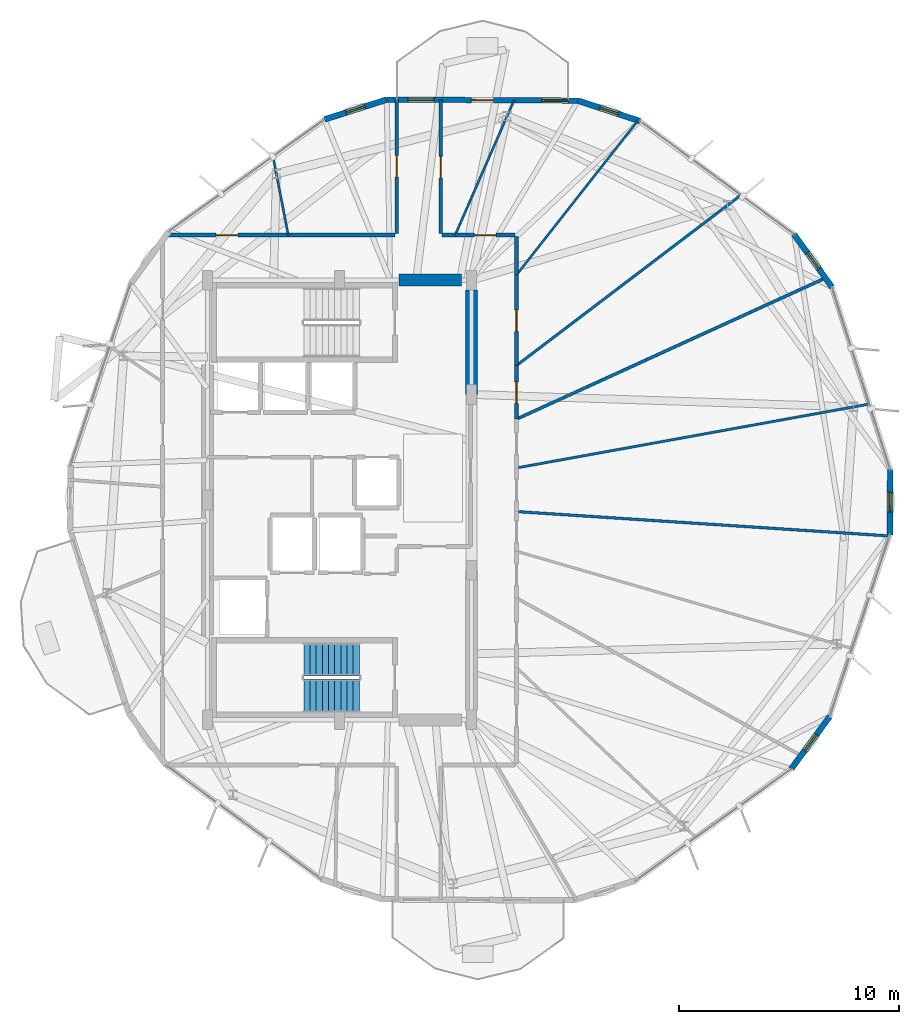
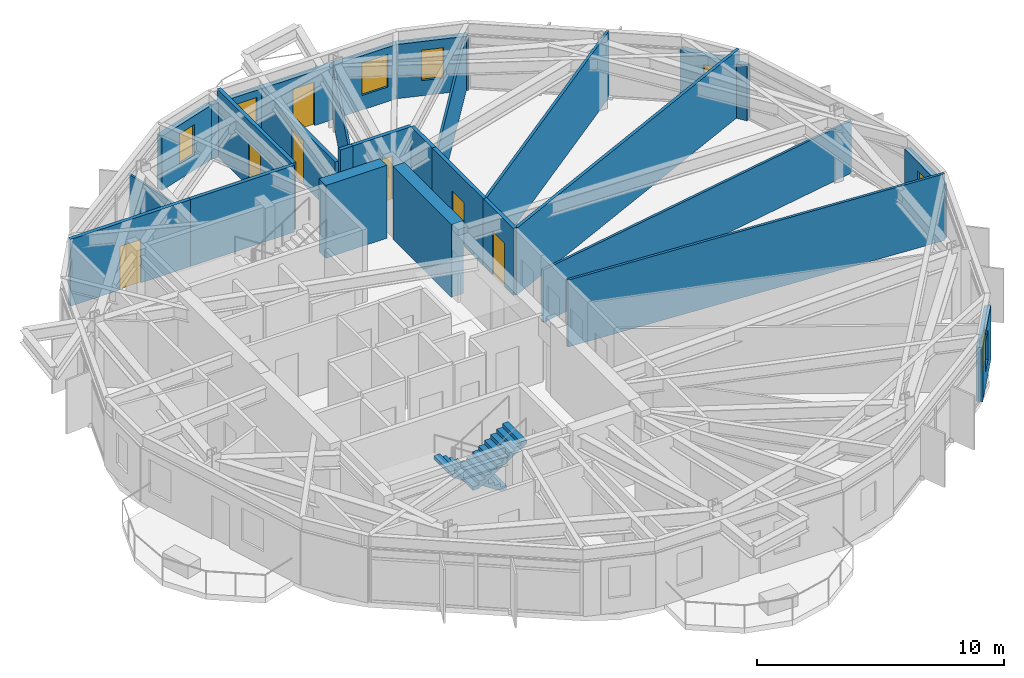
# One storey, part 19 of 24: 24 walls, 7 doors, 7 windows, 2 stair flights, 14 openings, 1 element without a shape of its own.
"""IFC4 building model written with IfcOpenShell, lengths in metres."""

from ifc_helpers import new_model, si_unit, direction, frame, frame_2d, origin, place, context, subcontext, project, spatial, polyline, rectangle, outline, extrude, material, layer, layer_set, type_object, element, fill, aggregate, save


model = new_model("IFC4")

# Units and contexts
model_context = context("Model", 3, precision=1e-05, world=origin(), true_north=direction((0.0, 1.0)))
body_context = subcontext(model_context, "Body", "Model", "MODEL_VIEW")
ifc_project = project(units=[si_unit("LENGTHUNIT", "METRE"), si_unit("AREAUNIT", "SQUARE_METRE"), si_unit("VOLUMEUNIT", "CUBIC_METRE"), si_unit("PLANEANGLEUNIT", "RADIAN"), si_unit("MASSUNIT", "GRAM", prefix="KILO")], contexts=[model_context])

# Site, building, storey
site_placement = place(None, origin())
site = spatial("IfcSite", under=ifc_project, at=site_placement, CompositionType="ELEMENT")
building_placement = place(site_placement, origin())
building = spatial("IfcBuilding", under=site, at=building_placement, Name="Soratama Intermodal Tower", CompositionType="ELEMENT")
storey_placement = place(building_placement, frame((0.0, 0.0, 164.199951171875)))
storey = spatial("IfcBuildingStorey", under=building, at=storey_placement, Name="L40", CompositionType="ELEMENT", Elevation=164.199951171875)

# Wall, openings, door, windows
ifc_material_1 = material(Name="Concrete f'c 42 MPa", Category="concrete")
ifc_layer_1 = layer(ifc_material_1, 0.25)
ifc_layer_set_1 = layer_set([ifc_layer_1], Name="Concrete f'c 42 MPa")
wall_type_1 = type_object("IfcWallType", Name="EW-BAL-250", PredefinedType="SOLIDWALL", material=ifc_layer_set_1)
wall_1_placement = place(storey_placement, frame((49.446533203125, 43.169189453125, 0.0), z_axis=(0.0, 0.0, 1.0), x_axis=(-0.999986386637, 0.005217905737, 0.0)))
wall_1 = element("IfcWall", 1, at=wall_1_placement, inside=storey, type_object=wall_type_1, Name="L40 Terrace Wall F02", PredefinedType="SOLIDWALL", context=body_context, shape_type="SweptSolid", body=[
    extrude(rectangle(XDim=8.70263671875, YDim=0.25, at=frame_2d((4.351318359375, 0.0))), origin(), (0.0, 0.0, 1.0), 2.678955078125),
])
opening_1_placement = place(wall_1_placement, frame((3.851318359375, 0.0, 0.0)))
opening_1 = element("IfcOpeningElement", 2, at=opening_1_placement, cuts=wall_1, Name="Opening ED-2", PredefinedType="OPENING", context=body_context, shape_type="SweptSolid", body=[
    extrude(rectangle(XDim=1.0, YDim=2.14990234375, at=frame_2d((0.5, 1.074951171875))), frame((0.0, 0.135009765625, 0.0), z_axis=(0.0, -1.0, 0.0), x_axis=(1.0, 0.0, 0.0)), (0.0, 0.0, 1.0), 0.27001953125),
])
opening_2_placement = place(wall_1_placement, frame((0.43994140625, 0.0, 0.719970703125)))
opening_2 = element("IfcOpeningElement", 3, at=opening_2_placement, cuts=wall_1, Name="Opening WN-2", PredefinedType="OPENING", context=body_context, shape_type="SweptSolid", body=[
    extrude(rectangle(XDim=1.199951171875, YDim=1.60009765625, at=frame_2d((0.60009765625, 0.800048828125))), frame((0.0, 0.135009765625, 0.0), z_axis=(0.0, -1.0, 0.0), x_axis=(1.0, 0.0, 0.0)), (0.0, 0.0, 1.0), 0.27001953125),
])
opening_3_placement = place(wall_1_placement, frame((6.538818359375, 0.0, 0.719970703125)))
opening_3 = element("IfcOpeningElement", 4, at=opening_3_placement, cuts=wall_1, Name="Opening WN-2", PredefinedType="OPENING", context=body_context, shape_type="SweptSolid", body=[
    extrude(rectangle(XDim=1.199951171875, YDim=1.60009765625, at=frame_2d((0.60009765625, 0.800048828125))), frame((0.0, 0.135009765625, 0.0), z_axis=(0.0, -1.0, 0.0), x_axis=(1.0, 0.0, 0.0)), (0.0, 0.0, 1.0), 0.27001953125),
])
ifc_material_2 = material(Name="Double-glazed aluminium door", Category="aluminium")
door_type_1 = type_object("IfcDoorType", Name="DR-BAL-1000", OperationType="NOTDEFINED", PredefinedType="DOOR", material=ifc_material_2)
door_1_placement = place(opening_1_placement, origin())
door_1 = element("IfcDoor", 5, at=door_1_placement, inside=storey, type_object=door_type_1, Name="L40 Balcony Door F02", OperationType="SINGLE_SWING_RIGHT", OverallHeight=2.14990234375, OverallWidth=1.0, PredefinedType="DOOR", context=body_context, shape_type="SweptSolid", body=[
    extrude(rectangle(XDim=1.0, YDim=2.14990234375, at=frame_2d((0.5, 1.074951171875))), frame((0.0, 0.02490234375, 0.0), z_axis=(0.0, -1.0, 0.0), x_axis=(1.0, 0.0, 0.0)), (0.0, 0.0, 1.0), 0.050048828125),
])
fill(opening_1, door_1)
ifc_material_3 = material(Name="Double-glazed aluminium window", Category="aluminium")
window_type_1 = type_object("IfcWindowType", Name="WN-FAC-1200", PartitioningType="SINGLE_PANEL", PredefinedType="WINDOW", material=ifc_material_3)
window_1_placement = place(opening_2_placement, origin())
window_1 = element("IfcWindow", 6, at=window_1_placement, inside=storey, type_object=window_type_1, Name="L40 Window A F02", OverallHeight=1.60009765625, OverallWidth=1.199951171875, PartitioningType="SINGLE_PANEL", PredefinedType="WINDOW", context=body_context, shape_type="SweptSolid", body=[
    extrude(rectangle(XDim=1.199951171875, YDim=1.60009765625, at=frame_2d((0.60009765625, 0.800048828125))), frame((0.0, 0.030029296875, 0.0), z_axis=(0.0, -1.0, 0.0), x_axis=(1.0, 0.0, 0.0)), (0.0, 0.0, 1.0), 0.06005859375),
])
fill(opening_2, window_1)
window_2_placement = place(opening_3_placement, origin())
window_2 = element("IfcWindow", 7, at=window_2_placement, inside=storey, type_object=window_type_1, Name="L40 Window B F02", OverallHeight=1.60009765625, OverallWidth=1.199951171875, PartitioningType="SINGLE_PANEL", PredefinedType="WINDOW", context=body_context, shape_type="SweptSolid", body=[
    extrude(rectangle(XDim=1.199951171875, YDim=1.60009765625, at=frame_2d((0.60009765625, 0.800048828125))), frame((0.0, 0.030029296875, 0.0), z_axis=(0.0, -1.0, 0.0), x_axis=(1.0, 0.0, 0.0)), (0.0, 0.0, 1.0), 0.06005859375),
])
fill(opening_3, window_2)

# Wall, opening, window
ifc_material_4 = material(Name="Concrete f'c 42 MPa", Category="concrete")
ifc_layer_2 = layer(ifc_material_4, 0.27001953125)
ifc_layer_set_2 = layer_set([ifc_layer_2], Name="Concrete f'c 42 MPa")
wall_type_2 = type_object("IfcWallType", Name="EW-CRN-270", PredefinedType="SOLIDWALL", material=ifc_layer_set_2)
wall_2_placement = place(storey_placement, frame((52.26318359375, 42.237548828125, 0.0), z_axis=(0.0, 0.0, 1.0), x_axis=(-0.949413160374, 0.314029697494, 0.0)))
wall_2 = element("IfcWall", 8, at=wall_2_placement, inside=storey, type_object=wall_type_2, Name="L40 Corner Closure Wall 01", PredefinedType="SOLIDWALL", context=body_context, shape_type="SweptSolid", body=[
    extrude(rectangle(XDim=2.966796875, YDim=0.27001953125, at=frame_2d((1.4833984375, 0.0))), origin(), (0.0, 0.0, 1.0), 2.678955078125),
])
opening_4_placement = place(wall_2_placement, frame((1.033203125, 0.0, 0.75)))
opening_4 = element("IfcOpeningElement", 9, at=opening_4_placement, cuts=wall_2, Name="Opening WN-6", PredefinedType="OPENING", context=body_context, shape_type="SweptSolid", body=[
    extrude(rectangle(XDim=0.89990234375, YDim=1.5, at=frame_2d((0.449951171875, 0.75))), frame((0.0, 0.14501953125, 0.0), z_axis=(0.0, -1.0, 0.0), x_axis=(1.0, 0.0, 0.0)), (0.0, 0.0, 1.0), 0.2900390625),
])
ifc_material_5 = material(Name="Double-glazed aluminium window", Category="aluminium")
window_type_2 = type_object("IfcWindowType", Name="WN-FAC-900", PartitioningType="SINGLE_PANEL", PredefinedType="WINDOW", material=ifc_material_5)
window_3_placement = place(opening_4_placement, origin())
window_3 = element("IfcWindow", 10, at=window_3_placement, inside=storey, type_object=window_type_2, Name="L40 Corner Window 01", OverallHeight=1.5, OverallWidth=0.89990234375, PartitioningType="SINGLE_PANEL", PredefinedType="WINDOW", context=body_context, shape_type="SweptSolid", body=[
    extrude(rectangle(XDim=0.89990234375, YDim=1.5, at=frame_2d((0.449951171875, 0.75))), frame((0.0, 0.030029296875, 0.0), z_axis=(0.0, -1.0, 0.0), x_axis=(1.0, 0.0, 0.0)), (0.0, 0.0, 1.0), 0.06005859375),
])
fill(opening_4, window_3)

wall_3_placement = place(storey_placement, frame((40.743896484375, 43.214599609375, 0.0), z_axis=(0.0, 0.0, 1.0), x_axis=(-0.95267036835, -0.304005212568, 0.0)))
wall_3 = element("IfcWall", 11, at=wall_3_placement, inside=storey, type_object=wall_type_2, Name="L40 Corner Closure Wall 02", PredefinedType="SOLIDWALL", context=body_context, shape_type="SweptSolid", body=[
    extrude(rectangle(XDim=2.966552734375, YDim=0.27001953125, at=frame_2d((1.4833984375, 0.0))), origin(), (0.0, 0.0, 1.0), 2.678955078125),
])
opening_5_placement = place(wall_3_placement, frame((1.033203125, 0.0, 0.75)))
opening_5 = element("IfcOpeningElement", 12, at=opening_5_placement, cuts=wall_3, Name="Opening WN-6", PredefinedType="OPENING", context=body_context, shape_type="SweptSolid", body=[
    extrude(rectangle(XDim=0.89990234375, YDim=1.5, at=frame_2d((0.449951171875, 0.75))), frame((0.0, 0.14501953125, 0.0), z_axis=(0.0, -1.0, 0.0), x_axis=(1.0, 0.0, 0.0)), (0.0, 0.0, 1.0), 0.2900390625),
])
window_4_placement = place(opening_5_placement, origin())
window_4 = element("IfcWindow", 13, at=window_4_placement, inside=storey, type_object=window_type_2, Name="L40 Corner Window 02", OverallHeight=1.5, OverallWidth=0.89990234375, PartitioningType="SINGLE_PANEL", PredefinedType="WINDOW", context=body_context, shape_type="SweptSolid", body=[
    extrude(rectangle(XDim=0.89990234375, YDim=1.5, at=frame_2d((0.449951171875, 0.75))), frame((0.0, 0.030029296875, 0.0), z_axis=(0.0, -1.0, 0.0), x_axis=(1.0, 0.0, 0.0)), (0.0, 0.0, 1.0), 0.06005859375),
])
fill(opening_5, window_4)

wall_4_placement = place(storey_placement, frame((59.1494140625, 12.765625, 0.0), z_axis=(0.0, 0.0, 1.0), x_axis=(0.592030622016, 0.805915468641, 0.0)))
wall_4 = element("IfcWall", 14, at=wall_4_placement, inside=storey, type_object=wall_type_2, Name="L40 Corner Closure Wall 08", PredefinedType="SOLIDWALL", context=body_context, shape_type="SweptSolid", body=[
    extrude(rectangle(XDim=2.966552734375, YDim=0.27001953125, at=frame_2d((1.4833984375, 0.0))), origin(), (0.0, 0.0, 1.0), 2.678955078125),
])
opening_6_placement = place(wall_4_placement, frame((1.033203125, 0.0, 0.75)))
opening_6 = element("IfcOpeningElement", 15, at=opening_6_placement, cuts=wall_4, Name="Opening WN-6", PredefinedType="OPENING", context=body_context, shape_type="SweptSolid", body=[
    extrude(rectangle(XDim=0.89990234375, YDim=1.5, at=frame_2d((0.449951171875, 0.75))), frame((0.0, 0.14501953125, 0.0), z_axis=(0.0, -1.0, 0.0), x_axis=(1.0, 0.0, 0.0)), (0.0, 0.0, 1.0), 0.2900390625),
])
window_5_placement = place(opening_6_placement, origin())
window_5 = element("IfcWindow", 16, at=window_5_placement, inside=storey, type_object=window_type_2, Name="L40 Corner Window 08", OverallHeight=1.5, OverallWidth=0.89990234375, PartitioningType="SINGLE_PANEL", PredefinedType="WINDOW", context=body_context, shape_type="SweptSolid", body=[
    extrude(rectangle(XDim=0.89990234375, YDim=1.5, at=frame_2d((0.449951171875, 0.75))), frame((0.0, 0.030029296875, 0.0), z_axis=(0.0, -1.0, 0.0), x_axis=(1.0, 0.0, 0.0)), (0.0, 0.0, 1.0), 0.06005859375),
])
fill(opening_6, window_5)

wall_5_placement = place(storey_placement, frame((63.63818359375, 23.419189453125, 0.0), z_axis=(0.0, 0.0, 1.0), x_axis=(0.005267416636, 0.999986127065, 0.0)))
wall_5 = element("IfcWall", 17, at=wall_5_placement, inside=storey, type_object=wall_type_2, Name="L40 Corner Closure Wall 09", PredefinedType="SOLIDWALL", context=body_context, shape_type="SweptSolid", body=[
    extrude(rectangle(XDim=2.96630859375, YDim=0.27001953125, at=frame_2d((1.483154296875, 0.0))), origin(), (0.0, 0.0, 1.0), 2.678955078125),
])
opening_7_placement = place(wall_5_placement, frame((1.033203125, 0.0, 0.75)))
opening_7 = element("IfcOpeningElement", 18, at=opening_7_placement, cuts=wall_5, Name="Opening WN-6", PredefinedType="OPENING", context=body_context, shape_type="SweptSolid", body=[
    extrude(rectangle(XDim=0.89990234375, YDim=1.5, at=frame_2d((0.449951171875, 0.75))), frame((0.0, 0.14501953125, 0.0), z_axis=(0.0, -1.0, 0.0), x_axis=(1.0, 0.0, 0.0)), (0.0, 0.0, 1.0), 0.2900390625),
])
window_6_placement = place(opening_7_placement, origin())
window_6 = element("IfcWindow", 19, at=window_6_placement, inside=storey, type_object=window_type_2, Name="L40 Corner Window 09", OverallHeight=1.5, OverallWidth=0.89990234375, PartitioningType="SINGLE_PANEL", PredefinedType="WINDOW", context=body_context, shape_type="SweptSolid", body=[
    extrude(rectangle(XDim=0.89990234375, YDim=1.5, at=frame_2d((0.449951171875, 0.75))), frame((0.0, 0.030029296875, 0.0), z_axis=(0.0, -1.0, 0.0), x_axis=(1.0, 0.0, 0.0)), (0.0, 0.0, 1.0), 0.06005859375),
])
fill(opening_7, window_6)

wall_6_placement = place(storey_placement, frame((61.008056640625, 34.676513671875, 0.0), z_axis=(0.0, 0.0, 1.0), x_axis=(-0.583586868665, 0.812050716841, 0.0)))
wall_6 = element("IfcWall", 20, at=wall_6_placement, inside=storey, type_object=wall_type_2, Name="L40 Corner Closure Wall 10", PredefinedType="SOLIDWALL", context=body_context, shape_type="SweptSolid", body=[
    extrude(rectangle(XDim=2.966552734375, YDim=0.27001953125, at=frame_2d((1.4833984375, 0.0))), origin(), (0.0, 0.0, 1.0), 2.678955078125),
])
opening_8_placement = place(wall_6_placement, frame((1.033203125, 0.0, 0.75)))
opening_8 = element("IfcOpeningElement", 21, at=opening_8_placement, cuts=wall_6, Name="Opening WN-6", PredefinedType="OPENING", context=body_context, shape_type="SweptSolid", body=[
    extrude(rectangle(XDim=0.89990234375, YDim=1.5, at=frame_2d((0.449951171875, 0.75))), frame((0.0, 0.14501953125, 0.0), z_axis=(0.0, -1.0, 0.0), x_axis=(1.0, 0.0, 0.0)), (0.0, 0.0, 1.0), 0.2900390625),
])
window_7_placement = place(opening_8_placement, origin())
window_7 = element("IfcWindow", 22, at=window_7_placement, inside=storey, type_object=window_type_2, Name="L40 Corner Window 10", OverallHeight=1.5, OverallWidth=0.89990234375, PartitioningType="SINGLE_PANEL", PredefinedType="WINDOW", context=body_context, shape_type="SweptSolid", body=[
    extrude(rectangle(XDim=0.89990234375, YDim=1.5, at=frame_2d((0.449951171875, 0.75))), frame((0.0, 0.030029296875, 0.0), z_axis=(0.0, -1.0, 0.0), x_axis=(1.0, 0.0, 0.0)), (0.0, 0.0, 1.0), 0.06005859375),
])
fill(opening_8, window_7)

# Wall, opening, door
ifc_material_6 = material(Name="Fire-rated gypsum stud partition", Category="concrete")
ifc_layer_3 = layer(ifc_material_6, 0.169921875)
ifc_layer_set_3 = layer_set([ifc_layer_3], Name="Fire-rated gypsum stud partition")
wall_type_3 = type_object("IfcWallType", Name="IW-PART-R170", PredefinedType="PARTITIONING", material=ifc_layer_set_3)
wall_7_placement = place(storey_placement, frame((41.199951171875, 37.1201171875, 0.0), z_axis=(0.0, 0.0, 1.0), x_axis=(0.0, 1.0, 0.0)))
wall_7 = element("IfcWall", 23, at=wall_7_placement, inside=storey, type_object=wall_type_3, Name="L40 Partition W-L40-TP015", PredefinedType="PARTITIONING", context=body_context, shape_type="SweptSolid", body=[
    extrude(rectangle(XDim=6.091796875, YDim=0.169921875, at=frame_2d((3.0458984375, 0.0))), origin(), (0.0, 0.0, 1.0), 3.300048828125),
])
opening_9_placement = place(wall_7_placement, frame((2.571044921875, 0.0, 0.0)))
opening_9 = element("IfcOpeningElement", 24, at=opening_9_placement, cuts=wall_7, Name="Opening ID-5", PredefinedType="OPENING", context=body_context, shape_type="SweptSolid", body=[
    extrude(rectangle(XDim=0.97998046875, YDim=2.14990234375, at=frame_2d((0.489990234375, 1.074951171875))), frame((0.0, 0.094970703125, 0.0), z_axis=(0.0, -1.0, 0.0), x_axis=(1.0, 0.0, 0.0)), (0.0, 0.0, 1.0), 0.18994140625),
])
ifc_material_7 = material(Name="Solid hardwood acoustic door", Category="wood")
door_type_2 = type_object("IfcDoorType", Name="DR-OFF-980", OperationType="NOTDEFINED", PredefinedType="DOOR", material=ifc_material_7)
door_2_placement = place(opening_9_placement, origin())
door_2 = element("IfcDoor", 25, at=door_2_placement, inside=storey, type_object=door_type_2, Name="L40 Door D-L40-TP005", OperationType="SINGLE_SWING_RIGHT", OverallHeight=2.14990234375, OverallWidth=0.97998046875, PredefinedType="DOOR", context=body_context, shape_type="SweptSolid", body=[
    extrude(rectangle(XDim=0.97998046875, YDim=2.14990234375, at=frame_2d((0.489990234375, 1.074951171875))), frame((0.0, 0.02490234375, 0.0), z_axis=(0.0, -1.0, 0.0), x_axis=(1.0, 0.0, 0.0)), (0.0, 0.0, 1.0), 0.050048828125),
])
fill(opening_9, door_2)

wall_8_placement = place(storey_placement, frame((43.199951171875, 43.201904296875, 0.0), z_axis=(0.0, 0.0, 1.0), x_axis=(0.0, -1.0, 0.0)))
wall_8 = element("IfcWall", 26, at=wall_8_placement, inside=storey, type_object=wall_type_3, Name="L40 Partition W-L40-TP016", PredefinedType="PARTITIONING", context=body_context, shape_type="SweptSolid", body=[
    extrude(rectangle(XDim=6.081787109375, YDim=0.169921875, at=frame_2d((3.041015625, 0.0))), origin(), (0.0, 0.0, 1.0), 2.674072265625),
])
opening_10_placement = place(wall_8_placement, frame((2.56591796875, 0.0, 0.0)))
opening_10 = element("IfcOpeningElement", 27, at=opening_10_placement, cuts=wall_8, Name="Opening ID-5", PredefinedType="OPENING", context=body_context, shape_type="SweptSolid", body=[
    extrude(rectangle(XDim=0.97998046875, YDim=2.14990234375, at=frame_2d((0.489990234375, 1.074951171875))), frame((0.0, 0.094970703125, 0.0), z_axis=(0.0, -1.0, 0.0), x_axis=(1.0, 0.0, 0.0)), (0.0, 0.0, 1.0), 0.18994140625),
])
door_3_placement = place(opening_10_placement, origin())
door_3 = element("IfcDoor", 28, at=door_3_placement, inside=storey, type_object=door_type_2, Name="L40 Door D-L40-TP006", OperationType="SINGLE_SWING_LEFT", OverallHeight=2.14990234375, OverallWidth=0.97998046875, PredefinedType="DOOR", context=body_context, shape_type="SweptSolid", body=[
    extrude(rectangle(XDim=0.97998046875, YDim=2.14990234375, at=frame_2d((0.489990234375, 1.074951171875))), frame((0.0, 0.02490234375, 0.0), z_axis=(0.0, -1.0, 0.0), x_axis=(1.0, 0.0, 0.0)), (0.0, 0.0, 1.0), 0.050048828125),
])
fill(opening_10, door_3)

wall_9_placement = place(storey_placement, frame((30.6640625, 37.050048828125, 0.0), z_axis=(0.0, 0.0, 1.0), x_axis=(1.0, 0.0, 0.0)))
wall_9 = element("IfcWall", 29, at=wall_9_placement, inside=storey, type_object=wall_type_3, Name="L40 Partition W-L40-TP019", PredefinedType="PARTITIONING", context=body_context, shape_type="SweptSolid", body=[
    extrude(rectangle(XDim=5.60302734375, YDim=0.169921875, at=frame_2d((2.801513671875, 0.0))), origin(), (0.0, 0.0, 1.0), 3.300048828125),
])
opening_11_placement = place(wall_9_placement, frame((2.326904296875, 0.0, 0.0)))
opening_11 = element("IfcOpeningElement", 30, at=opening_11_placement, cuts=wall_9, Name="Opening ID-5", PredefinedType="OPENING", context=body_context, shape_type="SweptSolid", body=[
    extrude(rectangle(XDim=0.97998046875, YDim=2.14990234375, at=frame_2d((0.489990234375, 1.074951171875))), frame((0.0, 0.094970703125, 0.0), z_axis=(0.0, -1.0, 0.0), x_axis=(1.0, 0.0, 0.0)), (0.0, 0.0, 1.0), 0.18994140625),
])
door_4_placement = place(opening_11_placement, origin())
door_4 = element("IfcDoor", 31, at=door_4_placement, inside=storey, type_object=door_type_2, Name="L40 Door D-L40-TP009", OperationType="SINGLE_SWING_RIGHT", OverallHeight=2.14990234375, OverallWidth=0.97998046875, PredefinedType="DOOR", context=body_context, shape_type="SweptSolid", body=[
    extrude(rectangle(XDim=0.97998046875, YDim=2.14990234375, at=frame_2d((0.489990234375, 1.074951171875))), frame((0.0, 0.02490234375, 0.0), z_axis=(0.0, -1.0, 0.0), x_axis=(1.0, 0.0, 0.0)), (0.0, 0.0, 1.0), 0.050048828125),
])
fill(opening_11, door_4)

# Wall
wall_10_placement = place(storey_placement, frame((36.26708984375, 37.050048828125, 0.0), z_axis=(0.0, 0.0, 1.0), x_axis=(1.0, 0.0, 0.0)))
element("IfcWall", 32, at=wall_10_placement, inside=storey, type_object=wall_type_3, Name="L40 Partition W-L40-TP021", PredefinedType="PARTITIONING", context=body_context, shape_type="SweptSolid", body=[
    extrude(rectangle(XDim=4.86279296875, YDim=0.169921875, at=frame_2d((2.431396484375, 0.0))), origin(), (0.0, 0.0, 1.0), 3.300048828125),
])

# Wall, opening, door
wall_11_placement = place(storey_placement, frame((46.64990234375, 35.237060546875, 0.0), z_axis=(0.0, 0.0, 1.0), x_axis=(0.0, -1.0, 0.0)))
wall_11 = element("IfcWall", 33, at=wall_11_placement, inside=storey, type_object=wall_type_3, Name="L40 Partition W-L40-TP026", PredefinedType="PARTITIONING", context=body_context, shape_type="SweptSolid", body=[
    extrude(rectangle(XDim=4.1220703125, YDim=0.169921875, at=frame_2d((2.06103515625, 0.0))), origin(), (0.0, 0.0, 1.0), 3.300048828125),
])
opening_12_placement = place(wall_11_placement, frame((1.5859375, 0.0, 0.0)))
opening_12 = element("IfcOpeningElement", 34, at=opening_12_placement, cuts=wall_11, Name="Opening ID-5", PredefinedType="OPENING", context=body_context, shape_type="SweptSolid", body=[
    extrude(rectangle(XDim=0.97998046875, YDim=2.14990234375, at=frame_2d((0.489990234375, 1.074951171875))), frame((0.0, 0.094970703125, 0.0), z_axis=(0.0, -1.0, 0.0), x_axis=(1.0, 0.0, 0.0)), (0.0, 0.0, 1.0), 0.18994140625),
])
door_5_placement = place(opening_12_placement, origin())
door_5 = element("IfcDoor", 35, at=door_5_placement, inside=storey, type_object=door_type_2, Name="L40 Door D-L40-TP013", OperationType="SINGLE_SWING_RIGHT", OverallHeight=2.14990234375, OverallWidth=0.97998046875, PredefinedType="DOOR", context=body_context, shape_type="SweptSolid", body=[
    extrude(rectangle(XDim=0.97998046875, YDim=2.14990234375, at=frame_2d((0.489990234375, 1.074951171875))), frame((0.0, 0.02490234375, 0.0), z_axis=(0.0, -1.0, 0.0), x_axis=(1.0, 0.0, 0.0)), (0.0, 0.0, 1.0), 0.050048828125),
])
fill(opening_12, door_5)

wall_12_placement = place(storey_placement, frame((43.860107421875, 37.050048828125, 0.0), z_axis=(0.0, 0.0, 1.0), x_axis=(1.0, 0.0, 0.0)))
wall_12 = element("IfcWall", 36, at=wall_12_placement, inside=storey, type_object=wall_type_3, Name="L40 Partition W-L40-TP033", PredefinedType="PARTITIONING", context=body_context, shape_type="SweptSolid", body=[
    extrude(rectangle(XDim=2.719970703125, YDim=0.169921875, at=frame_2d((1.35986328125, 0.0))), origin(), (0.0, 0.0, 1.0), 3.300048828125),
])
opening_13_placement = place(wall_12_placement, frame((0.885009765625, 0.0, 0.0)))
opening_13 = element("IfcOpeningElement", 37, at=opening_13_placement, cuts=wall_12, Name="Opening ID-5", PredefinedType="OPENING", context=body_context, shape_type="SweptSolid", body=[
    extrude(rectangle(XDim=0.97998046875, YDim=2.14990234375, at=frame_2d((0.489990234375, 1.074951171875))), frame((0.0, 0.094970703125, 0.0), z_axis=(0.0, -1.0, 0.0), x_axis=(1.0, 0.0, 0.0)), (0.0, 0.0, 1.0), 0.18994140625),
])
door_6_placement = place(opening_13_placement, origin())
door_6 = element("IfcDoor", 38, at=door_6_placement, inside=storey, type_object=door_type_2, Name="L40 Door D-L40-TP017", OperationType="SINGLE_SWING_RIGHT", OverallHeight=2.14990234375, OverallWidth=0.97998046875, PredefinedType="DOOR", context=body_context, shape_type="SweptSolid", body=[
    extrude(rectangle(XDim=0.97998046875, YDim=2.14990234375, at=frame_2d((0.489990234375, 1.074951171875))), frame((0.0, 0.02490234375, 0.0), z_axis=(0.0, -1.0, 0.0), x_axis=(1.0, 0.0, 0.0)), (0.0, 0.0, 1.0), 0.050048828125),
])
fill(opening_13, door_6)

wall_13_placement = place(storey_placement, frame((46.64990234375, 31.114990234375, 0.0), z_axis=(0.0, 0.0, 1.0), x_axis=(0.0, -1.0, 0.0)))
wall_13 = element("IfcWall", 39, at=wall_13_placement, inside=storey, type_object=wall_type_3, Name="L40 Partition W-L40-TP037", PredefinedType="PARTITIONING", context=body_context, shape_type="SweptSolid", body=[
    extrude(rectangle(XDim=2.43798828125, YDim=0.169921875, at=frame_2d((1.218994140625, 0.0))), origin(), (0.0, 0.0, 1.0), 3.300048828125),
])
opening_14_placement = place(wall_13_placement, frame((0.743896484375, 0.0, 0.0)))
opening_14 = element("IfcOpeningElement", 40, at=opening_14_placement, cuts=wall_13, Name="Opening ID-5", PredefinedType="OPENING", context=body_context, shape_type="SweptSolid", body=[
    extrude(rectangle(XDim=0.97998046875, YDim=2.14990234375, at=frame_2d((0.489990234375, 1.074951171875))), frame((0.0, 0.094970703125, 0.0), z_axis=(0.0, -1.0, 0.0), x_axis=(1.0, 0.0, 0.0)), (0.0, 0.0, 1.0), 0.18994140625),
])
door_7_placement = place(opening_14_placement, origin())
door_7 = element("IfcDoor", 41, at=door_7_placement, inside=storey, type_object=door_type_2, Name="L40 Door D-L40-TP018", OperationType="SINGLE_SWING_LEFT", OverallHeight=2.14990234375, OverallWidth=0.97998046875, PredefinedType="DOOR", context=body_context, shape_type="SweptSolid", body=[
    extrude(rectangle(XDim=0.97998046875, YDim=2.14990234375, at=frame_2d((0.489990234375, 1.074951171875))), frame((0.0, 0.02490234375, 0.0), z_axis=(0.0, -1.0, 0.0), x_axis=(1.0, 0.0, 0.0)), (0.0, 0.0, 1.0), 0.050048828125),
])
fill(opening_14, door_7)

# Walls
wall_14_placement = place(storey_placement, frame((46.64990234375, 36.97998046875, 0.0), z_axis=(0.0, 0.0, 1.0), x_axis=(0.0, -1.0, 0.0)))
element("IfcWall", 42, at=wall_14_placement, inside=storey, type_object=wall_type_3, Name="L40 Partition W-L40-TP043", PredefinedType="PARTITIONING", context=body_context, shape_type="SweptSolid", body=[
    extrude(rectangle(XDim=1.742919921875, YDim=0.169921875, at=frame_2d((0.87158203125, 0.0))), origin(), (0.0, 0.0, 1.0), 3.300048828125),
])
wall_15_placement = place(storey_placement, frame((43.27001953125, 37.050048828125, 0.0), z_axis=(0.0, 0.0, 1.0), x_axis=(1.0, 0.0, 0.0)))
element("IfcWall", 43, at=wall_15_placement, inside=storey, type_object=wall_type_3, Name="L40 Partition W-L40-TP047", PredefinedType="PARTITIONING", context=body_context, shape_type="SweptSolid", body=[
    extrude(rectangle(XDim=0.590087890625, YDim=0.169921875, at=frame_2d((0.294921875, 0.0))), origin(), (0.0, 0.0, 1.0), 3.300048828125),
])
ifc_material_8 = material(Name="Fire-rated gypsum stud partition", Category="concrete")
ifc_layer_4 = layer(ifc_material_8, 0.10009765625)
ifc_layer_set_4 = layer_set([ifc_layer_4], Name="Fire-rated gypsum stud partition")
wall_type_4 = type_object("IfcWallType", Name="IW-PART-S100", PredefinedType="PARTITIONING", material=ifc_layer_set_4)
wall_16_placement = place(storey_placement, frame((46.64990234375, 35.237060546875, 0.0), z_axis=(0.0, 0.0, 1.0), x_axis=(0.618211514736, 0.786011783021, 0.0)))
element("IfcWall", 44, at=wall_16_placement, inside=storey, type_object=wall_type_4, Name="L40 Partition W-L40-TP008", PredefinedType="PARTITIONING", context=body_context, shape_type="SweptSolid", body=[
    extrude(rectangle(XDim=8.95654296875, YDim=0.10009765625, at=frame_2d((4.478271484375, 0.0))), origin(), (0.0, 0.0, 1.0), 2.677978515625),
])
wall_17_placement = place(storey_placement, frame((43.860107421875, 37.050048828125, 0.0), z_axis=(0.0, 0.0, 1.0), x_axis=(0.400231337716, 0.916414140173, 0.0)))
element("IfcWall", 45, at=wall_17_placement, inside=storey, type_object=wall_type_4, Name="L40 Partition W-L40-TP013", PredefinedType="PARTITIONING", context=body_context, shape_type="SweptSolid", body=[
    extrude(rectangle(XDim=6.693603515625, YDim=0.10009765625, at=frame_2d((3.3466796875, 0.0))), origin(), (0.0, 0.0, 1.0), 2.594970703125),
])
wall_18_placement = place(storey_placement, frame((36.26708984375, 37.050048828125, 0.0), z_axis=(0.0, 0.0, 1.0), x_axis=(-0.19013643789, 0.981757676306, 0.0)))
element("IfcWall", 46, at=wall_18_placement, inside=storey, type_object=wall_type_4, Name="L40 Partition W-L40-TP028", PredefinedType="PARTITIONING", context=body_context, shape_type="SweptSolid", body=[
    extrude(rectangle(XDim=3.645263671875, YDim=0.10009765625, at=frame_2d((1.82275390625, 0.0))), origin(), (0.0, 0.0, 1.0), 2.594970703125),
])
ifc_material_9 = material(Name="Fire-rated gypsum stud partition", Category="concrete")
ifc_layer_5 = layer(ifc_material_9, 0.110107421875)
ifc_layer_set_5 = layer_set([ifc_layer_5], Name="Fire-rated gypsum stud partition")
wall_type_5 = type_object("IfcWallType", Name="IW-PART-S110", PredefinedType="PARTITIONING", material=ifc_layer_set_5)
wall_19_placement = place(storey_placement, frame((46.64990234375, 26.4580078125, 0.0), z_axis=(0.0, 0.0, 1.0), x_axis=(0.983996327564, 0.178188740777, 0.0)))
element("IfcWall", 47, at=wall_19_placement, inside=storey, type_object=wall_type_5, Name="L40 Partition W-L40-TP002", PredefinedType="PARTITIONING", context=body_context, shape_type="SweptSolid", body=[
    extrude(rectangle(XDim=16.31396484375, YDim=0.110107421875, at=frame_2d((8.156982421875, 0.0))), origin(), (0.0, 0.0, 1.0), 2.594970703125),
])
ifc_material_10 = material(Name="Fire-rated gypsum stud partition", Category="concrete")
ifc_layer_6 = layer(ifc_material_10, 0.1201171875)
ifc_layer_set_6 = layer_set([ifc_layer_6], Name="Fire-rated gypsum stud partition")
wall_type_6 = type_object("IfcWallType", Name="IW-PART-S120", PredefinedType="PARTITIONING", material=ifc_layer_set_6)
wall_20_placement = place(storey_placement, frame((63.6201171875, 23.364013671875, 0.0), z_axis=(0.0, 0.0, 1.0), x_axis=(-0.997867277943, 0.065275536078, 0.0)))
element("IfcWall", 48, at=wall_20_placement, inside=storey, type_object=wall_type_6, Name="L40 Partition W-L40-TP001", PredefinedType="PARTITIONING", context=body_context, shape_type="SweptSolid", body=[
    extrude(rectangle(XDim=17.006591796875, YDim=0.1201171875, at=frame_2d((8.50341796875, 0.0))), origin(), (0.0, 0.0, 1.0), 3.300048828125),
])
wall_21_placement = place(storey_placement, frame((46.64990234375, 31.114990234375, 0.0), z_axis=(0.0, 0.0, 1.0), x_axis=(0.796354542647, 0.604830093832, 0.0)))
element("IfcWall", 49, at=wall_21_placement, inside=storey, type_object=wall_type_6, Name="L40 Partition W-L40-TP006", PredefinedType="PARTITIONING", context=body_context, shape_type="SweptSolid", body=[
    extrude(rectangle(XDim=12.8134765625, YDim=0.1201171875, at=frame_2d((6.40673828125, 0.0))), origin(), (0.0, 0.0, 1.0), 3.300048828125),
])
ifc_material_11 = material(Name="Fire-rated gypsum stud partition", Category="concrete")
ifc_layer_7 = layer(ifc_material_11, 0.139892578125)
ifc_layer_set_7 = layer_set([ifc_layer_7], Name="Fire-rated gypsum stud partition")
wall_type_7 = type_object("IfcWallType", Name="IW-PART-S140", PredefinedType="PARTITIONING", material=ifc_layer_set_7)
wall_22_placement = place(storey_placement, frame((46.64990234375, 28.677001953125, 0.0), z_axis=(0.0, 0.0, 1.0), x_axis=(0.909570894807, 0.41554877851, 0.0)))
element("IfcWall", 50, at=wall_22_placement, inside=storey, type_object=wall_type_7, Name="L40 Partition W-L40-TP004", PredefinedType="PARTITIONING", context=body_context, shape_type="SweptSolid", body=[
    extrude(rectangle(XDim=15.533935546875, YDim=0.139892578125, at=frame_2d((7.76708984375, 0.0))), origin(), (0.0, 0.0, 1.0), 3.300048828125),
])
ifc_material_12 = material(Name="Concrete f'c 56 MPa", Category="concrete")
ifc_layer_8 = layer(ifc_material_12, 0.550048828125)
ifc_layer_set_8 = layer_set([ifc_layer_8], Name="Concrete f'c 56 MPa")
wall_type_8 = type_object("IfcWallType", Name="SW-CORE-550", PredefinedType="SHEAR", material=ifc_layer_set_8)
wall_23_placement = place(storey_placement, frame((41.300048828125, 35.0, 0.0), z_axis=(0.0, 0.0, 1.0), x_axis=(1.0, 0.0, 0.0)))
element("IfcWall", 51, at=wall_23_placement, inside=storey, type_object=wall_type_8, Name="L40 Core Shear Wall CW-NE", PredefinedType="SHEAR", context=body_context, shape_type="SweptSolid", body=[
    extrude(rectangle(XDim=2.849853515625, YDim=0.550048828125, at=frame_2d((1.4248046875, 0.0))), origin(), (0.0, 0.0, 1.0), 3.60009765625),
])
wall_24_placement = place(storey_placement, frame((44.60009765625, 29.800048828125, 0.0), z_axis=(0.0, 0.0, 1.0), x_axis=(0.0, 1.0, 0.0)))
element("IfcWall", 52, at=wall_24_placement, inside=storey, type_object=wall_type_8, Name="L40 Core Shear Wall CW-EN", PredefinedType="SHEAR", context=body_context, shape_type="SweptSolid", body=[
    extrude(rectangle(XDim=4.75, YDim=0.550048828125, at=frame_2d((2.375, 0.0))), origin(), (0.0, 0.0, 1.0), 3.60009765625),
])

# Stair, stair flights
ifc_material_13 = material(Name="Concrete f'c 42 MPa", Category="concrete")
stair_type = type_object("IfcStairType", Name="ST-CORE-DOGLEG", PredefinedType="HALF_TURN_STAIR", material=ifc_material_13)
stair_placement = place(storey_placement, origin())
stair = element("IfcStair", 53, at=stair_placement, inside=storey, type_object=stair_type, Name="L40 ST-1", PredefinedType="HALF_TURN_STAIR")
ifc_material_14 = material(Name="Precast concrete f'c 40 MPa", Category="concrete")
ifc_layer_9 = layer(ifc_material_14, 0.199951171875)
ifc_layer_set_9 = layer_set([ifc_layer_9], Name="Precast concrete f'c 40 MPa")
stair_flight_type = type_object("IfcStairFlightType", Name="SF-FLIGHT-RC", PredefinedType="STRAIGHT", material=ifc_layer_set_9)
stair_flight_1_placement = place(storey_placement, frame((39.5, 17.75, 0.0), z_axis=(0.0, 0.0, 1.0), x_axis=(-1.0, 0.0, 0.0)))
stair_flight_1 = element("IfcStairFlight", 54, at=stair_flight_1_placement, type_object=stair_flight_type, Name="ST-1 flight 1", NumberOfRisers=10, NumberOfTreads=9, PredefinedType="STRAIGHT", RiserHeight=0.18, TreadLength=0.28, context=body_context, shape_type="SweptSolid", body=[
    extrude(outline(polyline([(0.0, 0.0), (0.0, 0.179931640625), (0.280029296875, 0.179931640625), (0.280029296875, 0.360107421875), (0.56005859375, 0.360107421875), (0.56005859375, 0.5400390625), (0.840087890625, 0.5400390625), (0.840087890625, 0.719970703125), (1.1201171875, 0.719970703125), (1.1201171875, 0.89990234375), (1.39990234375, 0.89990234375), (1.39990234375, 1.080078125), (1.679931640625, 1.080078125), (1.679931640625, 1.260009765625), (1.9599609375, 1.260009765625), (1.9599609375, 1.43994140625), (2.239990234375, 1.43994140625), (2.239990234375, 1.6201171875), (2.52001953125, 1.6201171875), (2.52001953125, 1.800048828125), (2.52001953125, 1.44189453125), (0.277099609375, 0.0), (0.0, 0.0)])), frame((0.0, 0.75, 0.0), z_axis=(0.0, -1.0, 0.0), x_axis=(1.0, 0.0, 0.0)), (0.0, 0.0, 1.0), 1.5),
])
stair_flight_2_placement = place(storey_placement, frame((36.97998046875, 16.10009765625, 1.800048828125), z_axis=(0.0, 0.0, 1.0), x_axis=(1.0, 0.0, 0.0)))
stair_flight_2 = element("IfcStairFlight", 55, at=stair_flight_2_placement, type_object=stair_flight_type, Name="ST-1 flight 2", NumberOfRisers=10, NumberOfTreads=9, PredefinedType="STRAIGHT", RiserHeight=0.18, TreadLength=0.28, context=body_context, shape_type="SweptSolid", body=[
    extrude(outline(polyline([(0.0, 0.0), (0.0, 0.179931640625), (0.280029296875, 0.179931640625), (0.280029296875, 0.360107421875), (0.56005859375, 0.360107421875), (0.56005859375, 0.5400390625), (0.840087890625, 0.5400390625), (0.840087890625, 0.719970703125), (1.1201171875, 0.719970703125), (1.1201171875, 0.89990234375), (1.39990234375, 0.89990234375), (1.39990234375, 1.080078125), (1.679931640625, 1.080078125), (1.679931640625, 1.260009765625), (1.9599609375, 1.260009765625), (1.9599609375, 1.43994140625), (2.239990234375, 1.43994140625), (2.239990234375, 1.6201171875), (2.52001953125, 1.6201171875), (2.52001953125, 1.800048828125), (2.52001953125, 1.44189453125), (0.277099609375, 0.0), (0.0, 0.0)])), frame((0.0, 0.75, 0.0), z_axis=(0.0, -1.0, 0.0), x_axis=(1.0, 0.0, 0.0)), (0.0, 0.0, 1.0), 1.5),
])
aggregate(stair, [stair_flight_1, stair_flight_2])

save(model, "model.ifc")
